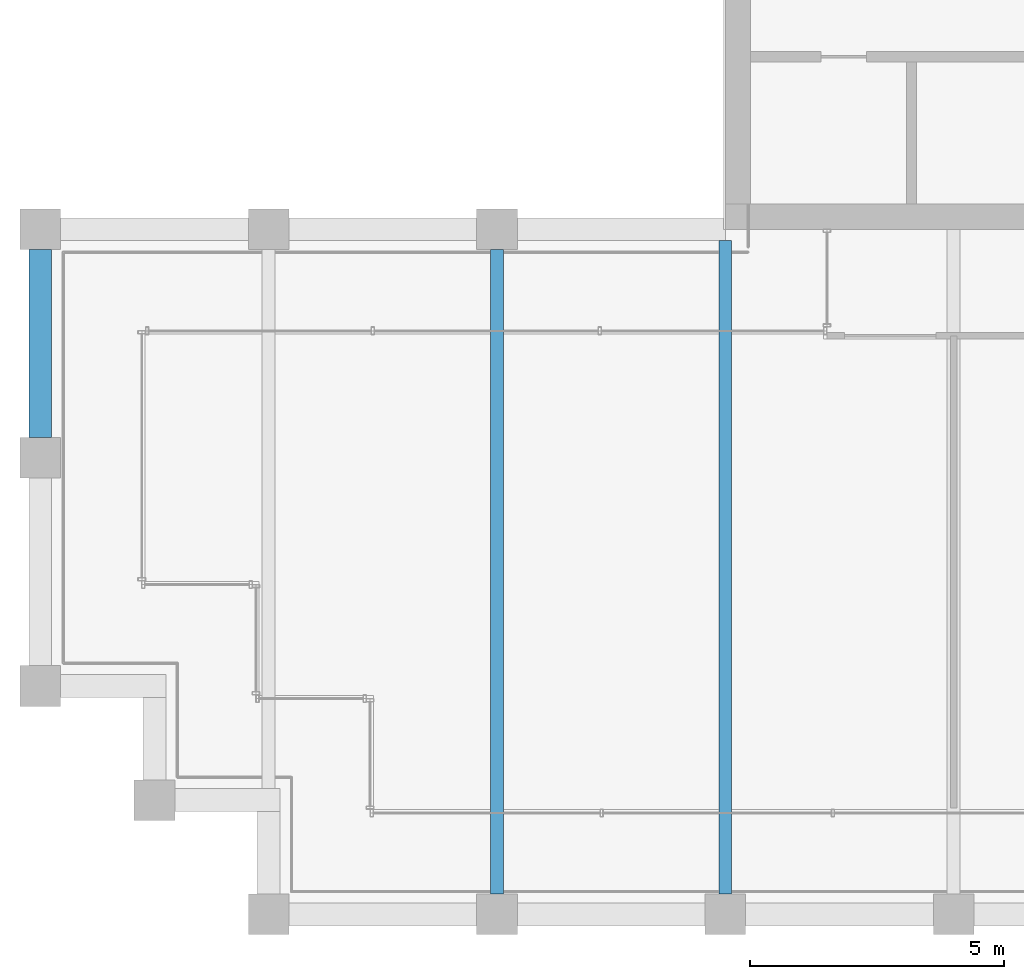
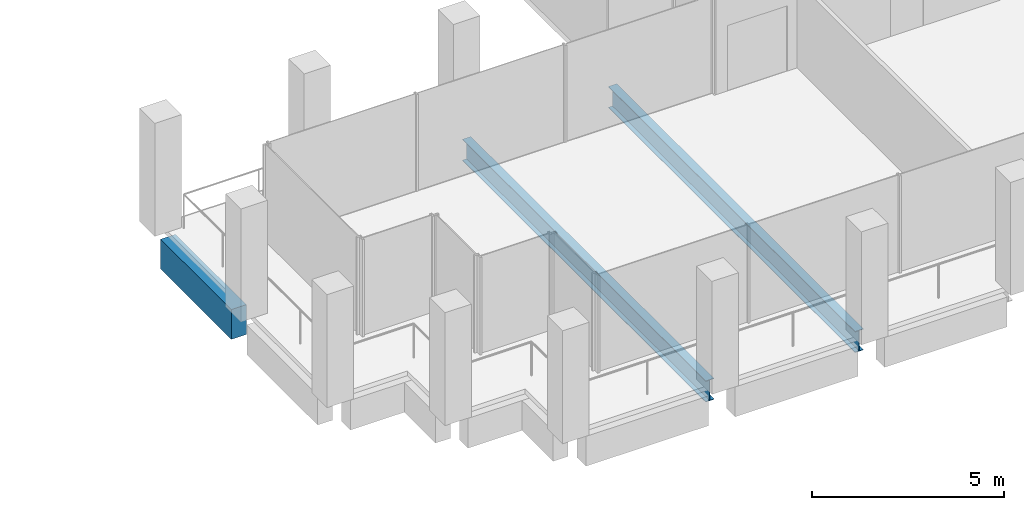
# One storey, part 4 of 30: 3 beams.
"""IFC4 building model written with IfcOpenShell, lengths in metres."""

from ifc_helpers import new_model, si_unit, direction, frame, origin, origin_2d, place, context, subcontext, project, spatial, rectangle, i_section, extrude, material, material_profile, profile_set, type_object, element, save


model = new_model("IFC4")

# Units and contexts
model_context = context("Model", 3, precision=1e-05, world=origin(), true_north=direction((0.0, 1.0)))
body_context = subcontext(model_context, "Body", "Model", "MODEL_VIEW")
ifc_project = project(units=[si_unit("LENGTHUNIT", "METRE"), si_unit("AREAUNIT", "SQUARE_METRE"), si_unit("VOLUMEUNIT", "CUBIC_METRE"), si_unit("PLANEANGLEUNIT", "RADIAN"), si_unit("MASSUNIT", "GRAM", prefix="KILO")], contexts=[model_context])

# Site, building, storey
site_placement = place(None, origin())
site = spatial("IfcSite", under=ifc_project, at=site_placement, CompositionType="ELEMENT")
building_placement = place(site_placement, origin())
building = spatial("IfcBuilding", under=site, at=building_placement, Name="Altepetl Exchange Towers", CompositionType="ELEMENT")
storey_placement = place(building_placement, frame((0.0, 0.0, 224.39990234375)))
storey = spatial("IfcBuildingStorey", under=building, at=storey_placement, Name="L57", CompositionType="ELEMENT", Elevation=224.39990234375)

# Beams
ifc_material_1 = material(Name="Steel S355", Category="steel")
ifc_material_profile_1 = material_profile(ifc_material_1, i_section(OverallWidth=0.2529296875, OverallDepth=0.677978515625, WebThickness=0.01171875, FlangeThickness=0.016357421875, at=origin_2d()), Name="W27X84")
ifc_profile_set_1 = profile_set([ifc_material_profile_1], Name="Steel S355")
beam_type_1 = type_object("IfcBeamType", Name="Floor beam W27X84", PredefinedType="BEAM", material=ifc_profile_set_1)
beam_1_placement = place(storey_placement, frame((36.0, 27.39990234375, -0.489013671875), z_axis=(0.0, 1.0, 0.0), x_axis=(-1.0, 0.0, 0.0)))
element("IfcBeam", 1, at=beam_1_placement, inside=storey, type_object=beam_type_1, Name="bm:A:L57:013", PredefinedType="BEAM", context=body_context, shape_type="SweptSolid", body=[
    extrude(i_section(OverallWidth=0.2529296875, OverallDepth=0.677978515625, WebThickness=0.01171875, FlangeThickness=0.016357421875, at=origin_2d()), origin(), (0.0, 0.0, 1.0), 12.7001953125),
])
beam_2_placement = place(storey_placement, frame((40.5, 27.39990234375, -0.489013671875), z_axis=(0.0, 1.0, 0.0), x_axis=(-1.0, 0.0, 0.0)))
element("IfcBeam", 2, at=beam_2_placement, inside=storey, type_object=beam_type_1, Name="bm:A:L57:014", PredefinedType="BEAM", context=body_context, shape_type="SweptSolid", body=[
    extrude(i_section(OverallWidth=0.2529296875, OverallDepth=0.677978515625, WebThickness=0.01171875, FlangeThickness=0.016357421875, at=origin_2d()), origin(), (0.0, 0.0, 1.0), 12.875),
])
ifc_material_2 = material(Name="Concrete C50/60 precast with cantera blanca facing", Category="concrete")
ifc_material_profile_2 = material_profile(ifc_material_2, rectangle(XDim=0.449951171875, YDim=0.949951171875, at=origin_2d()), Name="450 x 950")
ifc_profile_set_2 = profile_set([ifc_material_profile_2], Name="Concrete C50/60 precast with cantera blanca facing")
beam_type_2 = type_object("IfcBeamType", Name="Spandrel beam 450x950 cantera blanca", PredefinedType="SPANDREL", material=ifc_profile_set_2)
beam_3_placement = place(storey_placement, frame((27.0, 40.10009765625, -0.625), z_axis=(0.0, -1.0, 0.0), x_axis=(1.0, 0.0, 0.0)))
element("IfcBeam", 3, at=beam_3_placement, inside=storey, type_object=beam_type_2, Name="sp:A:L57:036", PredefinedType="SPANDREL", context=body_context, shape_type="SweptSolid", body=[
    extrude(rectangle(XDim=0.449951171875, YDim=0.949951171875, at=origin_2d()), origin(), (0.0, 0.0, 1.0), 3.7001953125),
])

save(model, "model.ifc")
